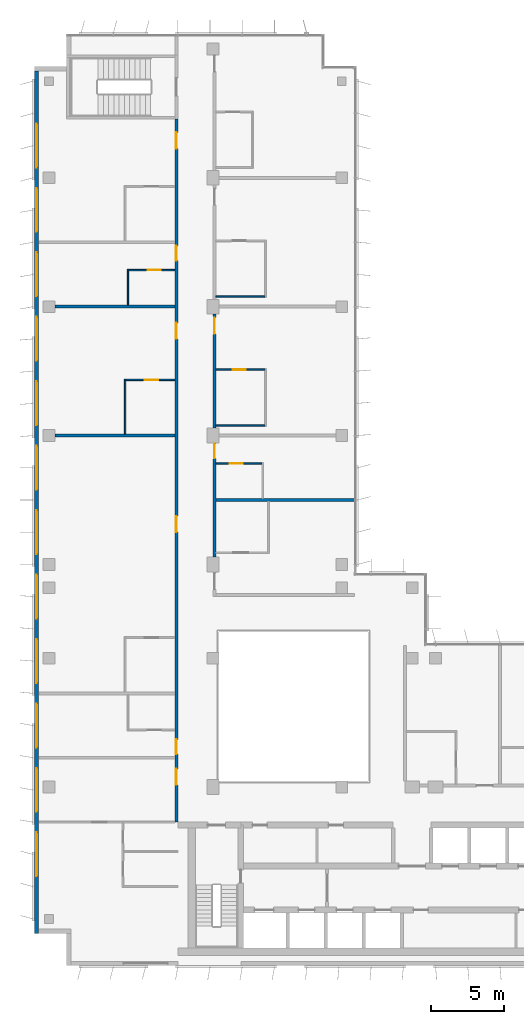
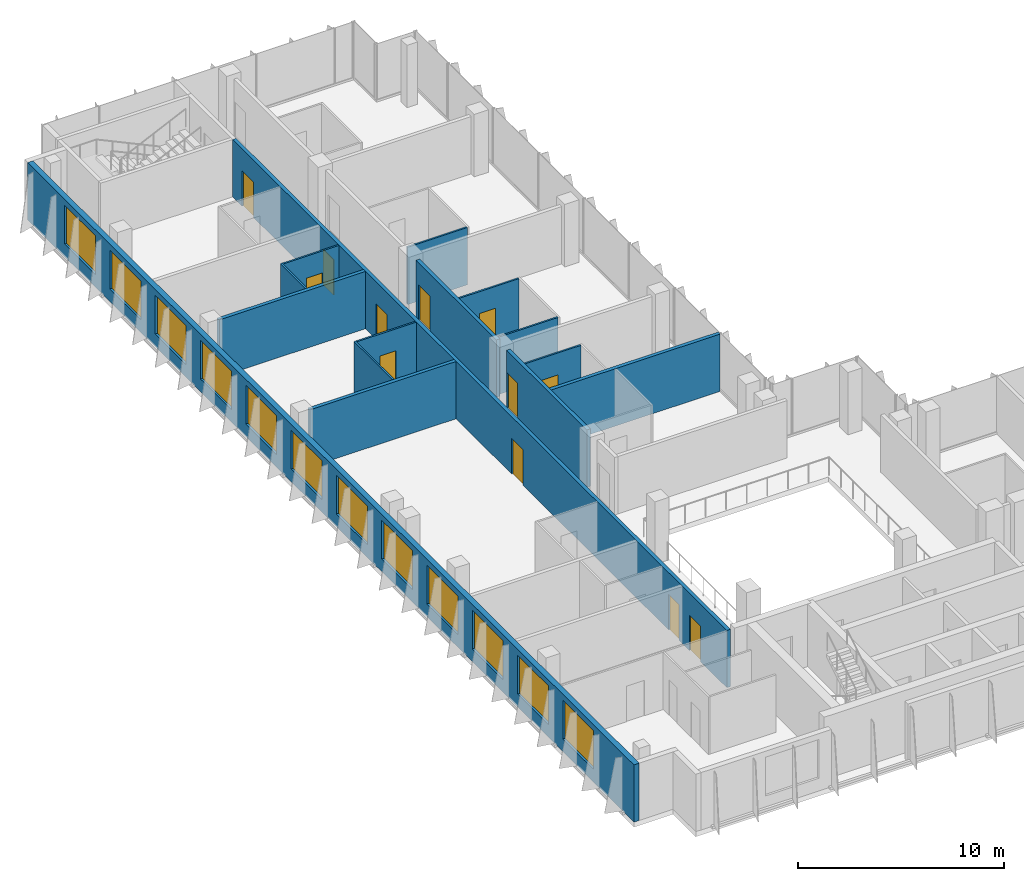
# One storey, part 11 of 15: 15 walls, 12 doors, 12 windows, 24 openings.
"""IFC4 building model written with IfcOpenShell, lengths in metres."""

from ifc_helpers import new_model, si_unit, direction, frame, frame_2d, origin, place, context, subcontext, project, spatial, rectangle, extrude, material, layer, layer_set, type_object, element, fill, save


model = new_model("IFC4")

# Units and contexts
model_context = context("Model", 3, precision=1e-05, world=origin(), true_north=direction((0.0, 1.0)))
body_context = subcontext(model_context, "Body", "Model", "MODEL_VIEW")
ifc_project = project(units=[si_unit("LENGTHUNIT", "METRE"), si_unit("AREAUNIT", "SQUARE_METRE"), si_unit("VOLUMEUNIT", "CUBIC_METRE"), si_unit("PLANEANGLEUNIT", "RADIAN"), si_unit("MASSUNIT", "GRAM", prefix="KILO")], contexts=[model_context])

# Site, building, storey
site_placement = place(None, origin())
site = spatial("IfcSite", under=ifc_project, at=site_placement, CompositionType="ELEMENT")
building_placement = place(site_placement, origin())
building = spatial("IfcBuilding", under=site, at=building_placement, Name="Kemantara Hotel Tower", CompositionType="ELEMENT")
storey_placement = place(building_placement, frame((0.0, 0.0, 230.199951171875)))
storey = spatial("IfcBuildingStorey", under=building, at=storey_placement, Name="L57", CompositionType="ELEMENT", Elevation=230.199951171875)

# Wall, openings, windows
ifc_material_1 = material(Name="Bronze anodised aluminium cladding on insulated steel stud wall", Category="steel")
ifc_layer_1 = layer(ifc_material_1, 0.300048828125)
ifc_layer_set_1 = layer_set([ifc_layer_1], Name="Bronze anodised aluminium cladding on insulated steel stud wall")
wall_type_1 = type_object("IfcWallType", Name="BRONZE METAL-CLAD EXTERNAL WALL 300", PredefinedType="STANDARD", material=ifc_layer_set_1)
wall_1_placement = place(storey_placement, frame((0.14990234375, 61.10009765625, 0.0), z_axis=(0.0, 0.0, 1.0), x_axis=(0.0, -1.0, 0.0)))
wall_1 = element("IfcWall", 1, at=wall_1_placement, inside=storey, type_object=wall_type_1, Name="EXTERNAL WALL L57 T4-R05", PredefinedType="STANDARD", context=body_context, shape_type="SweptSolid", body=[
    extrude(rectangle(XDim=58.900146484375, YDim=0.300048828125, at=frame_2d((29.4501953125, 0.0))), origin(), (0.0, 0.0, 1.0), 3.400146484375),
])
opening_1_placement = place(wall_1_placement, frame((3.60009765625, 0.0, 0.75)))
opening_1 = element("IfcOpeningElement", 2, at=opening_1_placement, cuts=wall_1, Name="Opening W1", PredefinedType="OPENING", context=body_context, shape_type="SweptSolid", body=[
    extrude(rectangle(XDim=3.0, YDim=2.300048828125, at=frame_2d((1.5, 1.14990234375))), frame((0.0, 0.159912109375, 0.0), z_axis=(0.0, -1.0, 0.0), x_axis=(1.0, 0.0, 0.0)), (0.0, 0.0, 1.0), 0.320068359375),
])
opening_2_placement = place(wall_1_placement, frame((8.0, 0.0, 0.75)))
opening_2 = element("IfcOpeningElement", 3, at=opening_2_placement, cuts=wall_1, Name="Opening W1", PredefinedType="OPENING", context=body_context, shape_type="SweptSolid", body=[
    extrude(rectangle(XDim=3.0, YDim=2.300048828125, at=frame_2d((1.5, 1.14990234375))), frame((0.0, 0.159912109375, 0.0), z_axis=(0.0, -1.0, 0.0), x_axis=(1.0, 0.0, 0.0)), (0.0, 0.0, 1.0), 0.320068359375),
])
opening_3_placement = place(wall_1_placement, frame((12.39990234375, 0.0, 0.75)))
opening_3 = element("IfcOpeningElement", 4, at=opening_3_placement, cuts=wall_1, Name="Opening W1", PredefinedType="OPENING", context=body_context, shape_type="SweptSolid", body=[
    extrude(rectangle(XDim=3.0, YDim=2.300048828125, at=frame_2d((1.5, 1.14990234375))), frame((0.0, 0.159912109375, 0.0), z_axis=(0.0, -1.0, 0.0), x_axis=(1.0, 0.0, 0.0)), (0.0, 0.0, 1.0), 0.320068359375),
])
opening_4_placement = place(wall_1_placement, frame((16.800048828125, 0.0, 0.75)))
opening_4 = element("IfcOpeningElement", 5, at=opening_4_placement, cuts=wall_1, Name="Opening W1", PredefinedType="OPENING", context=body_context, shape_type="SweptSolid", body=[
    extrude(rectangle(XDim=3.0, YDim=2.300048828125, at=frame_2d((1.5, 1.14990234375))), frame((0.0, 0.159912109375, 0.0), z_axis=(0.0, -1.0, 0.0), x_axis=(1.0, 0.0, 0.0)), (0.0, 0.0, 1.0), 0.320068359375),
])
opening_5_placement = place(wall_1_placement, frame((21.199951171875, 0.0, 0.75)))
opening_5 = element("IfcOpeningElement", 6, at=opening_5_placement, cuts=wall_1, Name="Opening W1", PredefinedType="OPENING", context=body_context, shape_type="SweptSolid", body=[
    extrude(rectangle(XDim=3.0, YDim=2.300048828125, at=frame_2d((1.5, 1.14990234375))), frame((0.0, 0.159912109375, 0.0), z_axis=(0.0, -1.0, 0.0), x_axis=(1.0, 0.0, 0.0)), (0.0, 0.0, 1.0), 0.320068359375),
])
opening_6_placement = place(wall_1_placement, frame((25.60009765625, 0.0, 0.75)))
opening_6 = element("IfcOpeningElement", 7, at=opening_6_placement, cuts=wall_1, Name="Opening W1", PredefinedType="OPENING", context=body_context, shape_type="SweptSolid", body=[
    extrude(rectangle(XDim=3.0, YDim=2.300048828125, at=frame_2d((1.5, 1.14990234375))), frame((0.0, 0.159912109375, 0.0), z_axis=(0.0, -1.0, 0.0), x_axis=(1.0, 0.0, 0.0)), (0.0, 0.0, 1.0), 0.320068359375),
])
opening_7_placement = place(wall_1_placement, frame((30.0, 0.0, 0.75)))
opening_7 = element("IfcOpeningElement", 8, at=opening_7_placement, cuts=wall_1, Name="Opening W1", PredefinedType="OPENING", context=body_context, shape_type="SweptSolid", body=[
    extrude(rectangle(XDim=3.0, YDim=2.300048828125, at=frame_2d((1.5, 1.14990234375))), frame((0.0, 0.159912109375, 0.0), z_axis=(0.0, -1.0, 0.0), x_axis=(1.0, 0.0, 0.0)), (0.0, 0.0, 1.0), 0.320068359375),
])
opening_8_placement = place(wall_1_placement, frame((34.39990234375, 0.0, 0.75)))
opening_8 = element("IfcOpeningElement", 9, at=opening_8_placement, cuts=wall_1, Name="Opening W1", PredefinedType="OPENING", context=body_context, shape_type="SweptSolid", body=[
    extrude(rectangle(XDim=3.0, YDim=2.300048828125, at=frame_2d((1.5, 1.14990234375))), frame((0.0, 0.159912109375, 0.0), z_axis=(0.0, -1.0, 0.0), x_axis=(1.0, 0.0, 0.0)), (0.0, 0.0, 1.0), 0.320068359375),
])
opening_9_placement = place(wall_1_placement, frame((38.800048828125, 0.0, 0.75)))
opening_9 = element("IfcOpeningElement", 10, at=opening_9_placement, cuts=wall_1, Name="Opening W1", PredefinedType="OPENING", context=body_context, shape_type="SweptSolid", body=[
    extrude(rectangle(XDim=3.0, YDim=2.300048828125, at=frame_2d((1.5, 1.14990234375))), frame((0.0, 0.159912109375, 0.0), z_axis=(0.0, -1.0, 0.0), x_axis=(1.0, 0.0, 0.0)), (0.0, 0.0, 1.0), 0.320068359375),
])
opening_10_placement = place(wall_1_placement, frame((43.199951171875, 0.0, 0.75)))
opening_10 = element("IfcOpeningElement", 11, at=opening_10_placement, cuts=wall_1, Name="Opening W1", PredefinedType="OPENING", context=body_context, shape_type="SweptSolid", body=[
    extrude(rectangle(XDim=3.0, YDim=2.300048828125, at=frame_2d((1.5, 1.14990234375))), frame((0.0, 0.159912109375, 0.0), z_axis=(0.0, -1.0, 0.0), x_axis=(1.0, 0.0, 0.0)), (0.0, 0.0, 1.0), 0.320068359375),
])
opening_11_placement = place(wall_1_placement, frame((47.60009765625, 0.0, 0.75)))
opening_11 = element("IfcOpeningElement", 12, at=opening_11_placement, cuts=wall_1, Name="Opening W1", PredefinedType="OPENING", context=body_context, shape_type="SweptSolid", body=[
    extrude(rectangle(XDim=3.0, YDim=2.300048828125, at=frame_2d((1.5, 1.14990234375))), frame((0.0, 0.159912109375, 0.0), z_axis=(0.0, -1.0, 0.0), x_axis=(1.0, 0.0, 0.0)), (0.0, 0.0, 1.0), 0.320068359375),
])
opening_12_placement = place(wall_1_placement, frame((52.0, 0.0, 0.75)))
opening_12 = element("IfcOpeningElement", 13, at=opening_12_placement, cuts=wall_1, Name="Opening W1", PredefinedType="OPENING", context=body_context, shape_type="SweptSolid", body=[
    extrude(rectangle(XDim=3.0, YDim=2.300048828125, at=frame_2d((1.5, 1.14990234375))), frame((0.0, 0.159912109375, 0.0), z_axis=(0.0, -1.0, 0.0), x_axis=(1.0, 0.0, 0.0)), (0.0, 0.0, 1.0), 0.320068359375),
])
ifc_material_2 = material(Name="Low-E tinted double insulated glass in bronze anodised aluminium frame", Category="aluminium")
window_type = type_object("IfcWindowType", Name="CHICAGO WINDOW, TRIPLE PANEL 3000x2300", PartitioningType="TRIPLE_PANEL_VERTICAL", PredefinedType="WINDOW", material=ifc_material_2)
window_1_placement = place(opening_1_placement, origin())
window_1 = element("IfcWindow", 14, at=window_1_placement, inside=storey, type_object=window_type, Name="CHICAGO WINDOW L57 T4-R05-54", OverallHeight=2.300048828125, OverallWidth=3.0, PartitioningType="SINGLE_PANEL", PredefinedType="WINDOW", context=body_context, shape_type="SweptSolid", body=[
    extrude(rectangle(XDim=3.0, YDim=2.300048828125, at=frame_2d((1.5, 1.14990234375))), frame((0.0, 0.030029296875, 0.0), z_axis=(0.0, -1.0, 0.0), x_axis=(1.0, 0.0, 0.0)), (0.0, 0.0, 1.0), 0.06005859375),
])
fill(opening_1, window_1)
window_2_placement = place(opening_2_placement, origin())
window_2 = element("IfcWindow", 15, at=window_2_placement, inside=storey, type_object=window_type, Name="CHICAGO WINDOW L57 T4-R05-98", OverallHeight=2.300048828125, OverallWidth=3.0, PartitioningType="SINGLE_PANEL", PredefinedType="WINDOW", context=body_context, shape_type="SweptSolid", body=[
    extrude(rectangle(XDim=3.0, YDim=2.300048828125, at=frame_2d((1.5, 1.14990234375))), frame((0.0, 0.030029296875, 0.0), z_axis=(0.0, -1.0, 0.0), x_axis=(1.0, 0.0, 0.0)), (0.0, 0.0, 1.0), 0.06005859375),
])
fill(opening_2, window_2)
window_3_placement = place(opening_3_placement, origin())
window_3 = element("IfcWindow", 16, at=window_3_placement, inside=storey, type_object=window_type, Name="CHICAGO WINDOW L57 T4-R05-142", OverallHeight=2.300048828125, OverallWidth=3.0, PartitioningType="SINGLE_PANEL", PredefinedType="WINDOW", context=body_context, shape_type="SweptSolid", body=[
    extrude(rectangle(XDim=3.0, YDim=2.300048828125, at=frame_2d((1.5, 1.14990234375))), frame((0.0, 0.030029296875, 0.0), z_axis=(0.0, -1.0, 0.0), x_axis=(1.0, 0.0, 0.0)), (0.0, 0.0, 1.0), 0.06005859375),
])
fill(opening_3, window_3)
window_4_placement = place(opening_4_placement, origin())
window_4 = element("IfcWindow", 17, at=window_4_placement, inside=storey, type_object=window_type, Name="CHICAGO WINDOW L57 T4-R05-186", OverallHeight=2.300048828125, OverallWidth=3.0, PartitioningType="SINGLE_PANEL", PredefinedType="WINDOW", context=body_context, shape_type="SweptSolid", body=[
    extrude(rectangle(XDim=3.0, YDim=2.300048828125, at=frame_2d((1.5, 1.14990234375))), frame((0.0, 0.030029296875, 0.0), z_axis=(0.0, -1.0, 0.0), x_axis=(1.0, 0.0, 0.0)), (0.0, 0.0, 1.0), 0.06005859375),
])
fill(opening_4, window_4)
window_5_placement = place(opening_5_placement, origin())
window_5 = element("IfcWindow", 18, at=window_5_placement, inside=storey, type_object=window_type, Name="CHICAGO WINDOW L57 T4-R05-230", OverallHeight=2.300048828125, OverallWidth=3.0, PartitioningType="SINGLE_PANEL", PredefinedType="WINDOW", context=body_context, shape_type="SweptSolid", body=[
    extrude(rectangle(XDim=3.0, YDim=2.300048828125, at=frame_2d((1.5, 1.14990234375))), frame((0.0, 0.030029296875, 0.0), z_axis=(0.0, -1.0, 0.0), x_axis=(1.0, 0.0, 0.0)), (0.0, 0.0, 1.0), 0.06005859375),
])
fill(opening_5, window_5)
window_6_placement = place(opening_6_placement, origin())
window_6 = element("IfcWindow", 19, at=window_6_placement, inside=storey, type_object=window_type, Name="CHICAGO WINDOW L57 T4-R05-274", OverallHeight=2.300048828125, OverallWidth=3.0, PartitioningType="SINGLE_PANEL", PredefinedType="WINDOW", context=body_context, shape_type="SweptSolid", body=[
    extrude(rectangle(XDim=3.0, YDim=2.300048828125, at=frame_2d((1.5, 1.14990234375))), frame((0.0, 0.030029296875, 0.0), z_axis=(0.0, -1.0, 0.0), x_axis=(1.0, 0.0, 0.0)), (0.0, 0.0, 1.0), 0.06005859375),
])
fill(opening_6, window_6)
window_7_placement = place(opening_7_placement, origin())
window_7 = element("IfcWindow", 20, at=window_7_placement, inside=storey, type_object=window_type, Name="CHICAGO WINDOW L57 T4-R05-318", OverallHeight=2.300048828125, OverallWidth=3.0, PartitioningType="SINGLE_PANEL", PredefinedType="WINDOW", context=body_context, shape_type="SweptSolid", body=[
    extrude(rectangle(XDim=3.0, YDim=2.300048828125, at=frame_2d((1.5, 1.14990234375))), frame((0.0, 0.030029296875, 0.0), z_axis=(0.0, -1.0, 0.0), x_axis=(1.0, 0.0, 0.0)), (0.0, 0.0, 1.0), 0.06005859375),
])
fill(opening_7, window_7)
window_8_placement = place(opening_8_placement, origin())
window_8 = element("IfcWindow", 21, at=window_8_placement, inside=storey, type_object=window_type, Name="CHICAGO WINDOW L57 T4-R05-362", OverallHeight=2.300048828125, OverallWidth=3.0, PartitioningType="SINGLE_PANEL", PredefinedType="WINDOW", context=body_context, shape_type="SweptSolid", body=[
    extrude(rectangle(XDim=3.0, YDim=2.300048828125, at=frame_2d((1.5, 1.14990234375))), frame((0.0, 0.030029296875, 0.0), z_axis=(0.0, -1.0, 0.0), x_axis=(1.0, 0.0, 0.0)), (0.0, 0.0, 1.0), 0.06005859375),
])
fill(opening_8, window_8)
window_9_placement = place(opening_9_placement, origin())
window_9 = element("IfcWindow", 22, at=window_9_placement, inside=storey, type_object=window_type, Name="CHICAGO WINDOW L57 T4-R05-406", OverallHeight=2.300048828125, OverallWidth=3.0, PartitioningType="SINGLE_PANEL", PredefinedType="WINDOW", context=body_context, shape_type="SweptSolid", body=[
    extrude(rectangle(XDim=3.0, YDim=2.300048828125, at=frame_2d((1.5, 1.14990234375))), frame((0.0, 0.030029296875, 0.0), z_axis=(0.0, -1.0, 0.0), x_axis=(1.0, 0.0, 0.0)), (0.0, 0.0, 1.0), 0.06005859375),
])
fill(opening_9, window_9)
window_10_placement = place(opening_10_placement, origin())
window_10 = element("IfcWindow", 23, at=window_10_placement, inside=storey, type_object=window_type, Name="CHICAGO WINDOW L57 T4-R05-450", OverallHeight=2.300048828125, OverallWidth=3.0, PartitioningType="SINGLE_PANEL", PredefinedType="WINDOW", context=body_context, shape_type="SweptSolid", body=[
    extrude(rectangle(XDim=3.0, YDim=2.300048828125, at=frame_2d((1.5, 1.14990234375))), frame((0.0, 0.030029296875, 0.0), z_axis=(0.0, -1.0, 0.0), x_axis=(1.0, 0.0, 0.0)), (0.0, 0.0, 1.0), 0.06005859375),
])
fill(opening_10, window_10)
window_11_placement = place(opening_11_placement, origin())
window_11 = element("IfcWindow", 24, at=window_11_placement, inside=storey, type_object=window_type, Name="CHICAGO WINDOW L57 T4-R05-494", OverallHeight=2.300048828125, OverallWidth=3.0, PartitioningType="SINGLE_PANEL", PredefinedType="WINDOW", context=body_context, shape_type="SweptSolid", body=[
    extrude(rectangle(XDim=3.0, YDim=2.300048828125, at=frame_2d((1.5, 1.14990234375))), frame((0.0, 0.030029296875, 0.0), z_axis=(0.0, -1.0, 0.0), x_axis=(1.0, 0.0, 0.0)), (0.0, 0.0, 1.0), 0.06005859375),
])
fill(opening_11, window_11)
window_12_placement = place(opening_12_placement, origin())
window_12 = element("IfcWindow", 25, at=window_12_placement, inside=storey, type_object=window_type, Name="CHICAGO WINDOW L57 T4-R05-538", OverallHeight=2.300048828125, OverallWidth=3.0, PartitioningType="SINGLE_PANEL", PredefinedType="WINDOW", context=body_context, shape_type="SweptSolid", body=[
    extrude(rectangle(XDim=3.0, YDim=2.300048828125, at=frame_2d((1.5, 1.14990234375))), frame((0.0, 0.030029296875, 0.0), z_axis=(0.0, -1.0, 0.0), x_axis=(1.0, 0.0, 0.0)), (0.0, 0.0, 1.0), 0.06005859375),
])
fill(opening_12, window_12)

# Wall, openings, doors
ifc_material_3 = material(Name="Gypsum board partition, steel studs and mineral wool, 200 mm", Category="steel")
ifc_layer_2 = layer(ifc_material_3, 0.199951171875)
ifc_layer_set_2 = layer_set([ifc_layer_2], Name="Gypsum board partition, steel studs and mineral wool, 200 mm")
wall_type_2 = type_object("IfcWallType", Name="CORRIDOR WALL 200", PredefinedType="PARTITIONING", material=ifc_layer_set_2)
wall_2_placement = place(storey_placement, frame((9.699951171875, 9.800048828125, 0.0), z_axis=(0.0, 0.0, 1.0), x_axis=(0.0, 1.0, 0.0)))
wall_2 = element("IfcWall", 26, at=wall_2_placement, inside=storey, type_object=wall_type_2, Name="CORRIDOR WALL 200 006", PredefinedType="PARTITIONING", context=body_context, shape_type="SweptSolid", body=[
    extrude(rectangle(XDim=48.0, YDim=0.199951171875, at=frame_2d((24.0, 0.0))), origin(), (0.0, 0.0, 1.0), 3.400146484375),
])
opening_13_placement = place(wall_2_placement, frame((2.550048828125, 0.0, 0.0)))
opening_13 = element("IfcOpeningElement", 27, at=opening_13_placement, cuts=wall_2, Name="Opening F28-005", PredefinedType="OPENING", context=body_context, shape_type="SweptSolid", body=[
    extrude(rectangle(XDim=1.10009765625, YDim=2.10009765625, at=frame_2d((0.550048828125, 1.050048828125))), frame((0.0, 0.10986328125, 0.0), z_axis=(0.0, -1.0, 0.0), x_axis=(1.0, 0.0, 0.0)), (0.0, 0.0, 1.0), 0.219970703125),
])
opening_14_placement = place(wall_2_placement, frame((4.64990234375, 0.0, 0.0)))
opening_14 = element("IfcOpeningElement", 28, at=opening_14_placement, cuts=wall_2, Name="Opening F28-009", PredefinedType="OPENING", context=body_context, shape_type="SweptSolid", body=[
    extrude(rectangle(XDim=1.0, YDim=2.10009765625, at=frame_2d((0.5, 1.050048828125))), frame((0.0, 0.10986328125, 0.0), z_axis=(0.0, -1.0, 0.0), x_axis=(1.0, 0.0, 0.0)), (0.0, 0.0, 1.0), 0.219970703125),
])
opening_15_placement = place(wall_2_placement, frame((19.800048828125, 0.0, 0.0)))
opening_15 = element("IfcOpeningElement", 29, at=opening_15_placement, cuts=wall_2, Name="Opening F28-011", PredefinedType="OPENING", context=body_context, shape_type="SweptSolid", body=[
    extrude(rectangle(XDim=1.10009765625, YDim=2.10009765625, at=frame_2d((0.550048828125, 1.050048828125))), frame((0.0, 0.10986328125, 0.0), z_axis=(0.0, -1.0, 0.0), x_axis=(1.0, 0.0, 0.0)), (0.0, 0.0, 1.0), 0.219970703125),
])
opening_16_placement = place(wall_2_placement, frame((33.0, 0.0, 0.0)))
opening_16 = element("IfcOpeningElement", 30, at=opening_16_placement, cuts=wall_2, Name="Opening F28-013", PredefinedType="OPENING", context=body_context, shape_type="SweptSolid", body=[
    extrude(rectangle(XDim=1.10009765625, YDim=2.10009765625, at=frame_2d((0.550048828125, 1.050048828125))), frame((0.0, 0.10986328125, 0.0), z_axis=(0.0, -1.0, 0.0), x_axis=(1.0, 0.0, 0.0)), (0.0, 0.0, 1.0), 0.219970703125),
])
opening_17_placement = place(wall_2_placement, frame((38.35009765625, 0.0, 0.0)))
opening_17 = element("IfcOpeningElement", 31, at=opening_17_placement, cuts=wall_2, Name="Opening F28-015", PredefinedType="OPENING", context=body_context, shape_type="SweptSolid", body=[
    extrude(rectangle(XDim=1.0, YDim=2.10009765625, at=frame_2d((0.5, 1.050048828125))), frame((0.0, 0.10986328125, 0.0), z_axis=(0.0, -1.0, 0.0), x_axis=(1.0, 0.0, 0.0)), (0.0, 0.0, 1.0), 0.219970703125),
])
opening_18_placement = place(wall_2_placement, frame((46.0, 0.0, 0.0)))
opening_18 = element("IfcOpeningElement", 32, at=opening_18_placement, cuts=wall_2, Name="Opening F28-017", PredefinedType="OPENING", context=body_context, shape_type="SweptSolid", body=[
    extrude(rectangle(XDim=1.10009765625, YDim=2.10009765625, at=frame_2d((0.550048828125, 1.050048828125))), frame((0.0, 0.10986328125, 0.0), z_axis=(0.0, -1.0, 0.0), x_axis=(1.0, 0.0, 0.0)), (0.0, 0.0, 1.0), 0.219970703125),
])
ifc_material_4 = material(Name="Hardwood veneer door leaf with steel frame", Category="steel")
door_type_1 = type_object("IfcDoorType", Name="GUEST ROOM DOOR 1000 X 2100 FD30S", OperationType="NOTDEFINED", PredefinedType="DOOR", material=ifc_material_4)
door_1_placement = place(opening_14_placement, origin())
door_1 = element("IfcDoor", 33, at=door_1_placement, inside=storey, type_object=door_type_1, Name="GUEST ROOM DOOR F28-009", OperationType="SINGLE_SWING_LEFT", OverallHeight=2.10009765625, OverallWidth=1.0, PredefinedType="DOOR", context=body_context, shape_type="SweptSolid", body=[
    extrude(rectangle(XDim=1.0, YDim=2.10009765625, at=frame_2d((0.5, 1.050048828125))), frame((0.0, 0.02490234375, 0.0), z_axis=(0.0, -1.0, 0.0), x_axis=(1.0, 0.0, 0.0)), (0.0, 0.0, 1.0), 0.050048828125),
])
fill(opening_14, door_1)
door_2_placement = place(opening_17_placement, origin())
door_2 = element("IfcDoor", 34, at=door_2_placement, inside=storey, type_object=door_type_1, Name="GUEST ROOM DOOR F28-015", OperationType="SINGLE_SWING_RIGHT", OverallHeight=2.10009765625, OverallWidth=1.0, PredefinedType="DOOR", context=body_context, shape_type="SweptSolid", body=[
    extrude(rectangle(XDim=1.0, YDim=2.10009765625, at=frame_2d((0.5, 1.050048828125))), frame((0.0, 0.02490234375, 0.0), z_axis=(0.0, -1.0, 0.0), x_axis=(1.0, 0.0, 0.0)), (0.0, 0.0, 1.0), 0.050048828125),
])
fill(opening_17, door_2)
door_type_2 = type_object("IfcDoorType", Name="SUITE ENTRANCE DOOR 1100 X 2100 FD30S", OperationType="NOTDEFINED", PredefinedType="DOOR", material=ifc_material_4)
door_3_placement = place(opening_13_placement, origin())
door_3 = element("IfcDoor", 35, at=door_3_placement, inside=storey, type_object=door_type_2, Name="SUITE ENTRANCE DOOR F28-005", OperationType="SINGLE_SWING_RIGHT", OverallHeight=2.10009765625, OverallWidth=1.10009765625, PredefinedType="DOOR", context=body_context, shape_type="SweptSolid", body=[
    extrude(rectangle(XDim=1.10009765625, YDim=2.10009765625, at=frame_2d((0.550048828125, 1.050048828125))), frame((0.0, 0.02490234375, 0.0), z_axis=(0.0, -1.0, 0.0), x_axis=(1.0, 0.0, 0.0)), (0.0, 0.0, 1.0), 0.050048828125),
])
fill(opening_13, door_3)
door_4_placement = place(opening_15_placement, origin())
door_4 = element("IfcDoor", 36, at=door_4_placement, inside=storey, type_object=door_type_2, Name="SUITE ENTRANCE DOOR F28-011", OperationType="SINGLE_SWING_RIGHT", OverallHeight=2.10009765625, OverallWidth=1.10009765625, PredefinedType="DOOR", context=body_context, shape_type="SweptSolid", body=[
    extrude(rectangle(XDim=1.10009765625, YDim=2.10009765625, at=frame_2d((0.550048828125, 1.050048828125))), frame((0.0, 0.02490234375, 0.0), z_axis=(0.0, -1.0, 0.0), x_axis=(1.0, 0.0, 0.0)), (0.0, 0.0, 1.0), 0.050048828125),
])
fill(opening_15, door_4)
door_5_placement = place(opening_16_placement, origin())
door_5 = element("IfcDoor", 37, at=door_5_placement, inside=storey, type_object=door_type_2, Name="SUITE ENTRANCE DOOR F28-013", OperationType="SINGLE_SWING_RIGHT", OverallHeight=2.10009765625, OverallWidth=1.10009765625, PredefinedType="DOOR", context=body_context, shape_type="SweptSolid", body=[
    extrude(rectangle(XDim=1.10009765625, YDim=2.10009765625, at=frame_2d((0.550048828125, 1.050048828125))), frame((0.0, 0.02490234375, 0.0), z_axis=(0.0, -1.0, 0.0), x_axis=(1.0, 0.0, 0.0)), (0.0, 0.0, 1.0), 0.050048828125),
])
fill(opening_16, door_5)
door_6_placement = place(opening_18_placement, origin())
door_6 = element("IfcDoor", 38, at=door_6_placement, inside=storey, type_object=door_type_2, Name="SUITE ENTRANCE DOOR F28-017", OperationType="SINGLE_SWING_RIGHT", OverallHeight=2.10009765625, OverallWidth=1.10009765625, PredefinedType="DOOR", context=body_context, shape_type="SweptSolid", body=[
    extrude(rectangle(XDim=1.10009765625, YDim=2.10009765625, at=frame_2d((0.550048828125, 1.050048828125))), frame((0.0, 0.02490234375, 0.0), z_axis=(0.0, -1.0, 0.0), x_axis=(1.0, 0.0, 0.0)), (0.0, 0.0, 1.0), 0.050048828125),
])
fill(opening_18, door_6)

# Wall, opening, door
wall_3_placement = place(storey_placement, frame((12.300048828125, 35.699951171875, 0.0), z_axis=(0.0, 0.0, 1.0), x_axis=(0.0, -1.0, 0.0)))
wall_3 = element("IfcWall", 39, at=wall_3_placement, inside=storey, type_object=wall_type_2, Name="CORRIDOR WALL 200 016", PredefinedType="PARTITIONING", context=body_context, shape_type="SweptSolid", body=[
    extrude(rectangle(XDim=7.7998046875, YDim=0.199951171875, at=frame_2d((3.89990234375, 0.0))), origin(), (0.0, 0.0, 1.0), 3.400146484375),
])
opening_19_placement = place(wall_3_placement, frame((0.0498046875, 0.0, 0.0)))
opening_19 = element("IfcOpeningElement", 40, at=opening_19_placement, cuts=wall_3, Name="Opening F28-021", PredefinedType="OPENING", context=body_context, shape_type="SweptSolid", body=[
    extrude(rectangle(XDim=1.0, YDim=2.10009765625, at=frame_2d((0.5, 1.050048828125))), frame((0.0, 0.10986328125, 0.0), z_axis=(0.0, -1.0, 0.0), x_axis=(1.0, 0.0, 0.0)), (0.0, 0.0, 1.0), 0.219970703125),
])
door_7_placement = place(opening_19_placement, origin())
door_7 = element("IfcDoor", 41, at=door_7_placement, inside=storey, type_object=door_type_1, Name="GUEST ROOM DOOR F28-021", OperationType="SINGLE_SWING_LEFT", OverallHeight=2.10009765625, OverallWidth=1.0, PredefinedType="DOOR", context=body_context, shape_type="SweptSolid", body=[
    extrude(rectangle(XDim=1.0, YDim=2.10009765625, at=frame_2d((0.5, 1.050048828125))), frame((0.0, 0.02490234375, 0.0), z_axis=(0.0, -1.0, 0.0), x_axis=(1.0, 0.0, 0.0)), (0.0, 0.0, 1.0), 0.050048828125),
])
fill(opening_19, door_7)

wall_4_placement = place(storey_placement, frame((12.300048828125, 44.5, 0.0), z_axis=(0.0, 0.0, 1.0), x_axis=(0.0, -1.0, 0.0)))
wall_4 = element("IfcWall", 42, at=wall_4_placement, inside=storey, type_object=wall_type_2, Name="CORRIDOR WALL 200 017", PredefinedType="PARTITIONING", context=body_context, shape_type="SweptSolid", body=[
    extrude(rectangle(XDim=7.7998046875, YDim=0.199951171875, at=frame_2d((3.89990234375, 0.0))), origin(), (0.0, 0.0, 1.0), 3.400146484375),
])
opening_20_placement = place(wall_4_placement, frame((0.25, 0.0, 0.0)))
opening_20 = element("IfcOpeningElement", 43, at=opening_20_placement, cuts=wall_4, Name="Opening F28-023", PredefinedType="OPENING", context=body_context, shape_type="SweptSolid", body=[
    extrude(rectangle(XDim=1.10009765625, YDim=2.10009765625, at=frame_2d((0.550048828125, 1.050048828125))), frame((0.0, 0.10986328125, 0.0), z_axis=(0.0, -1.0, 0.0), x_axis=(1.0, 0.0, 0.0)), (0.0, 0.0, 1.0), 0.219970703125),
])
door_8_placement = place(opening_20_placement, origin())
door_8 = element("IfcDoor", 44, at=door_8_placement, inside=storey, type_object=door_type_2, Name="SUITE ENTRANCE DOOR F28-023", OperationType="SINGLE_SWING_LEFT", OverallHeight=2.10009765625, OverallWidth=1.10009765625, PredefinedType="DOOR", context=body_context, shape_type="SweptSolid", body=[
    extrude(rectangle(XDim=1.10009765625, YDim=2.10009765625, at=frame_2d((0.550048828125, 1.050048828125))), frame((0.0, 0.02490234375, 0.0), z_axis=(0.0, -1.0, 0.0), x_axis=(1.0, 0.0, 0.0)), (0.0, 0.0, 1.0), 0.050048828125),
])
fill(opening_20, door_8)

# Walls
ifc_layer_3 = layer(ifc_material_3, 0.199951171875)
ifc_layer_set_3 = layer_set([ifc_layer_3], Name="Gypsum board partition, steel studs and mineral wool, 200 mm")
wall_type_3 = type_object("IfcWallType", Name="GUEST ROOM PARTY WALL 200", PredefinedType="PARTITIONING", material=ifc_layer_set_3)
for number, where, z_axis, x_axis, name in (
    (45, (1.400146484375, 36.199951171875, 0.0), (0.0, 0.0, 1.0), (1.0, 0.0, 0.0), "GUEST ROOM PARTY WALL 200 010"),
    (46, (1.400146484375, 45.0, 0.0), (0.0, 0.0, 1.0), (1.0, 0.0, 0.0), "GUEST ROOM PARTY WALL 200 012"),
):
    element("IfcWall", number, at=place(storey_placement, frame(where, z_axis=z_axis, x_axis=x_axis)), inside=storey, type_object=wall_type_3, Name=name, PredefinedType="PARTITIONING", context=body_context, shape_type="SweptSolid", body=[
        extrude(rectangle(XDim=8.199951171875, YDim=0.199951171875, at=frame_2d((4.10009765625, 0.0))), origin(), (0.0, 0.0, 1.0), 3.400146484375),
    ])
wall_5_placement = place(storey_placement, frame((12.39990234375, 31.800048828125, 0.0), z_axis=(0.0, 0.0, 1.0), x_axis=(1.0, 0.0, 0.0)))
element("IfcWall", 47, at=wall_5_placement, inside=storey, type_object=wall_type_3, Name="GUEST ROOM PARTY WALL 200 021", PredefinedType="PARTITIONING", context=body_context, shape_type="SweptSolid", body=[
    extrude(rectangle(XDim=9.47021484375, YDim=0.199951171875, at=frame_2d((4.735107421875, 0.0))), origin(), (0.0, 0.0, 1.0), 3.400146484375),
])
ifc_material_5 = material(Name="Gypsum board partition on steel studs, 100 mm", Category="steel")
ifc_layer_4 = layer(ifc_material_5, 0.10009765625)
ifc_layer_set_4 = layer_set([ifc_layer_4], Name="Gypsum board partition on steel studs, 100 mm")
wall_type_4 = type_object("IfcWallType", Name="ROOM PARTITION 100", PredefinedType="PARTITIONING", material=ifc_layer_set_4)
wall_6_placement = place(storey_placement, frame((6.39990234375, 45.10009765625, 0.0), z_axis=(0.0, 0.0, 1.0), x_axis=(0.0, 1.0, 0.0)))
element("IfcWall", 48, at=wall_6_placement, inside=storey, type_object=wall_type_4, Name="ROOM PARTITION 100 032", PredefinedType="PARTITIONING", context=body_context, shape_type="SweptSolid", body=[
    extrude(rectangle(XDim=2.449951171875, YDim=0.10009765625, at=frame_2d((1.22509765625, 0.0))), origin(), (0.0, 0.0, 1.0), 3.400146484375),
])
wall_7_placement = place(storey_placement, frame((6.199951171875, 36.300048828125, 0.0), z_axis=(0.0, 0.0, 1.0), x_axis=(0.0, 1.0, 0.0)))
element("IfcWall", 49, at=wall_7_placement, inside=storey, type_object=wall_type_4, Name="ROOM PARTITION 100 035", PredefinedType="PARTITIONING", context=body_context, shape_type="SweptSolid", body=[
    extrude(rectangle(XDim=3.75, YDim=0.10009765625, at=frame_2d((1.875, 0.0))), origin(), (0.0, 0.0, 1.0), 3.400146484375),
])

# Wall, opening, door
wall_8_placement = place(storey_placement, frame((9.60009765625, 40.0, 0.0), z_axis=(0.0, 0.0, 1.0), x_axis=(-1.0, 0.0, 0.0)))
wall_8 = element("IfcWall", 50, at=wall_8_placement, inside=storey, type_object=wall_type_4, Name="ROOM PARTITION 100 038", PredefinedType="PARTITIONING", context=body_context, shape_type="SweptSolid", body=[
    extrude(rectangle(XDim=3.35009765625, YDim=0.10009765625, at=frame_2d((1.675048828125, 0.0))), origin(), (0.0, 0.0, 1.0), 3.400146484375),
])
opening_21_placement = place(wall_8_placement, frame((1.14990234375, 0.0, 0.0)))
opening_21 = element("IfcOpeningElement", 51, at=opening_21_placement, cuts=wall_8, Name="Opening F28-014", PredefinedType="OPENING", context=body_context, shape_type="SweptSolid", body=[
    extrude(rectangle(XDim=0.89990234375, YDim=2.10009765625, at=frame_2d((0.449951171875, 1.050048828125))), frame((0.0, 0.06005859375, 0.0), z_axis=(0.0, -1.0, 0.0), x_axis=(1.0, 0.0, 0.0)), (0.0, 0.0, 1.0), 0.1201171875),
])
door_type_3 = type_object("IfcDoorType", Name="BATHROOM DOOR 900 X 2100", OperationType="NOTDEFINED", PredefinedType="DOOR", material=ifc_material_4)
door_9_placement = place(opening_21_placement, origin())
door_9 = element("IfcDoor", 52, at=door_9_placement, inside=storey, type_object=door_type_3, Name="BATHROOM DOOR F28-014", OperationType="SINGLE_SWING_LEFT", OverallHeight=2.10009765625, OverallWidth=0.89990234375, PredefinedType="DOOR", context=body_context, shape_type="SweptSolid", body=[
    extrude(rectangle(XDim=0.89990234375, YDim=2.10009765625, at=frame_2d((0.449951171875, 1.050048828125))), frame((0.0, 0.02490234375, 0.0), z_axis=(0.0, -1.0, 0.0), x_axis=(1.0, 0.0, 0.0)), (0.0, 0.0, 1.0), 0.050048828125),
])
fill(opening_21, door_9)

wall_9_placement = place(storey_placement, frame((9.60009765625, 47.5, 0.0), z_axis=(0.0, 0.0, 1.0), x_axis=(-1.0, 0.0, 0.0)))
wall_9 = element("IfcWall", 53, at=wall_9_placement, inside=storey, type_object=wall_type_4, Name="ROOM PARTITION 100 039", PredefinedType="PARTITIONING", context=body_context, shape_type="SweptSolid", body=[
    extrude(rectangle(XDim=3.150146484375, YDim=0.10009765625, at=frame_2d((1.5751953125, 0.0))), origin(), (0.0, 0.0, 1.0), 3.400146484375),
])
opening_22_placement = place(wall_9_placement, frame((0.949951171875, 0.0, 0.0)))
opening_22 = element("IfcOpeningElement", 54, at=opening_22_placement, cuts=wall_9, Name="Opening F28-016", PredefinedType="OPENING", context=body_context, shape_type="SweptSolid", body=[
    extrude(rectangle(XDim=0.89990234375, YDim=2.10009765625, at=frame_2d((0.449951171875, 1.050048828125))), frame((0.0, 0.06005859375, 0.0), z_axis=(0.0, -1.0, 0.0), x_axis=(1.0, 0.0, 0.0)), (0.0, 0.0, 1.0), 0.1201171875),
])
door_10_placement = place(opening_22_placement, origin())
door_10 = element("IfcDoor", 55, at=door_10_placement, inside=storey, type_object=door_type_3, Name="BATHROOM DOOR F28-016", OperationType="SINGLE_SWING_LEFT", OverallHeight=2.10009765625, OverallWidth=0.89990234375, PredefinedType="DOOR", context=body_context, shape_type="SweptSolid", body=[
    extrude(rectangle(XDim=0.89990234375, YDim=2.10009765625, at=frame_2d((0.449951171875, 1.050048828125))), frame((0.0, 0.02490234375, 0.0), z_axis=(0.0, -1.0, 0.0), x_axis=(1.0, 0.0, 0.0)), (0.0, 0.0, 1.0), 0.050048828125),
])
fill(opening_22, door_10)

wall_10_placement = place(storey_placement, frame((15.550048828125, 34.300048828125, 0.0), z_axis=(0.0, 0.0, 1.0), x_axis=(-1.0, 0.0, 0.0)))
wall_10 = element("IfcWall", 56, at=wall_10_placement, inside=storey, type_object=wall_type_4, Name="ROOM PARTITION 100 044", PredefinedType="PARTITIONING", context=body_context, shape_type="SweptSolid", body=[
    extrude(rectangle(XDim=3.150146484375, YDim=0.10009765625, at=frame_2d((1.5751953125, 0.0))), origin(), (0.0, 0.0, 1.0), 3.400146484375),
])
opening_23_placement = place(wall_10_placement, frame((1.300048828125, 0.0, 0.0)))
opening_23 = element("IfcOpeningElement", 57, at=opening_23_placement, cuts=wall_10, Name="Opening F28-022", PredefinedType="OPENING", context=body_context, shape_type="SweptSolid", body=[
    extrude(rectangle(XDim=0.89990234375, YDim=2.10009765625, at=frame_2d((0.449951171875, 1.050048828125))), frame((0.0, 0.06005859375, 0.0), z_axis=(0.0, -1.0, 0.0), x_axis=(1.0, 0.0, 0.0)), (0.0, 0.0, 1.0), 0.1201171875),
])
door_11_placement = place(opening_23_placement, origin())
door_11 = element("IfcDoor", 58, at=door_11_placement, inside=storey, type_object=door_type_3, Name="BATHROOM DOOR F28-022", OperationType="SINGLE_SWING_RIGHT", OverallHeight=2.10009765625, OverallWidth=0.89990234375, PredefinedType="DOOR", context=body_context, shape_type="SweptSolid", body=[
    extrude(rectangle(XDim=0.89990234375, YDim=2.10009765625, at=frame_2d((0.449951171875, 1.050048828125))), frame((0.0, 0.02490234375, 0.0), z_axis=(0.0, -1.0, 0.0), x_axis=(1.0, 0.0, 0.0)), (0.0, 0.0, 1.0), 0.050048828125),
])
fill(opening_23, door_11)

# Wall
wall_11_placement = place(storey_placement, frame((12.39990234375, 36.89990234375, 0.0), z_axis=(0.0, 0.0, 1.0), x_axis=(1.0, 0.0, 0.0)))
element("IfcWall", 59, at=wall_11_placement, inside=storey, type_object=wall_type_4, Name="ROOM PARTITION 100 047", PredefinedType="PARTITIONING", context=body_context, shape_type="SweptSolid", body=[
    extrude(rectangle(XDim=3.35009765625, YDim=0.10009765625, at=frame_2d((1.675048828125, 0.0))), origin(), (0.0, 0.0, 1.0), 3.400146484375),
])

# Wall, opening, door
wall_12_placement = place(storey_placement, frame((15.75, 40.699951171875, 0.0), z_axis=(0.0, 0.0, 1.0), x_axis=(-1.0, 0.0, 0.0)))
wall_12 = element("IfcWall", 60, at=wall_12_placement, inside=storey, type_object=wall_type_4, Name="ROOM PARTITION 100 048", PredefinedType="PARTITIONING", context=body_context, shape_type="SweptSolid", body=[
    extrude(rectangle(XDim=3.35009765625, YDim=0.10009765625, at=frame_2d((1.675048828125, 0.0))), origin(), (0.0, 0.0, 1.0), 3.400146484375),
])
opening_24_placement = place(wall_12_placement, frame((1.300048828125, 0.0, 0.0)))
opening_24 = element("IfcOpeningElement", 61, at=opening_24_placement, cuts=wall_12, Name="Opening F28-024", PredefinedType="OPENING", context=body_context, shape_type="SweptSolid", body=[
    extrude(rectangle(XDim=0.89990234375, YDim=2.10009765625, at=frame_2d((0.449951171875, 1.050048828125))), frame((0.0, 0.06005859375, 0.0), z_axis=(0.0, -1.0, 0.0), x_axis=(1.0, 0.0, 0.0)), (0.0, 0.0, 1.0), 0.1201171875),
])
door_12_placement = place(opening_24_placement, origin())
door_12 = element("IfcDoor", 62, at=door_12_placement, inside=storey, type_object=door_type_3, Name="BATHROOM DOOR F28-024", OperationType="SINGLE_SWING_RIGHT", OverallHeight=2.10009765625, OverallWidth=0.89990234375, PredefinedType="DOOR", context=body_context, shape_type="SweptSolid", body=[
    extrude(rectangle(XDim=0.89990234375, YDim=2.10009765625, at=frame_2d((0.449951171875, 1.050048828125))), frame((0.0, 0.02490234375, 0.0), z_axis=(0.0, -1.0, 0.0), x_axis=(1.0, 0.0, 0.0)), (0.0, 0.0, 1.0), 0.050048828125),
])
fill(opening_24, door_12)

# Wall
wall_13_placement = place(storey_placement, frame((12.39990234375, 45.699951171875, 0.0), z_axis=(0.0, 0.0, 1.0), x_axis=(1.0, 0.0, 0.0)))
element("IfcWall", 63, at=wall_13_placement, inside=storey, type_object=wall_type_4, Name="ROOM PARTITION 100 049", PredefinedType="PARTITIONING", context=body_context, shape_type="SweptSolid", body=[
    extrude(rectangle(XDim=3.35009765625, YDim=0.10009765625, at=frame_2d((1.675048828125, 0.0))), origin(), (0.0, 0.0, 1.0), 3.400146484375),
])

save(model, "model.ifc")
